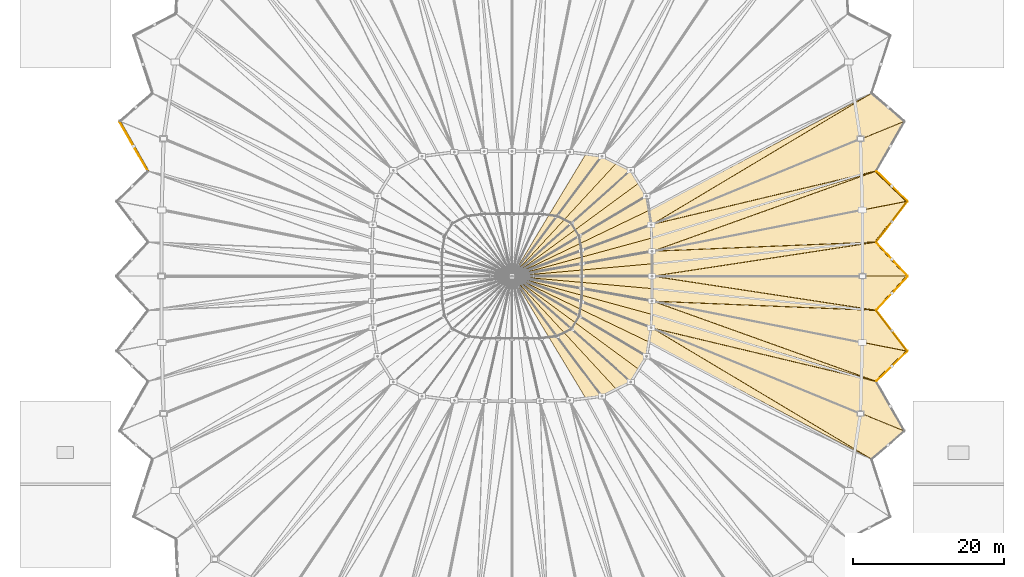
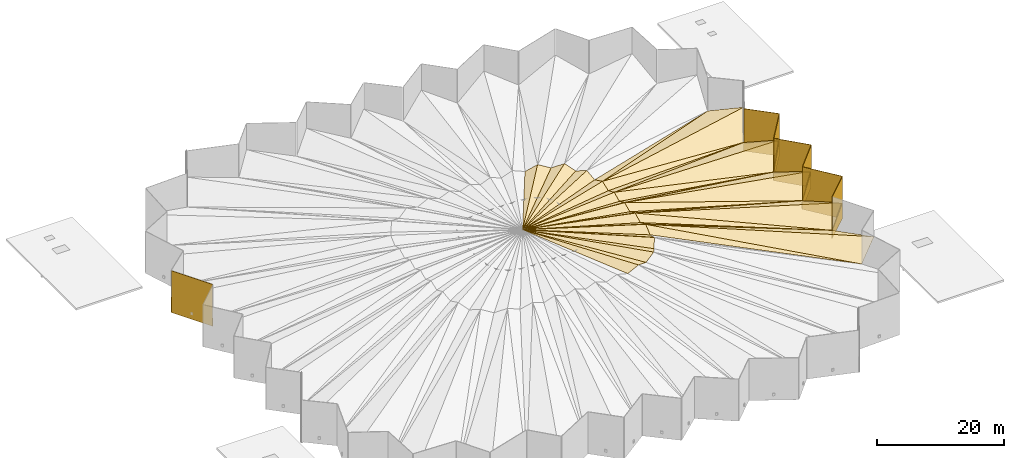
# One storey, part 39 of 41: 49 coverings, 7 shading devices.
"""IFC4 building model written with IfcOpenShell, lengths in metres."""

from ifc_helpers import new_model, si_unit, direction, frame, origin, origin_2d, place, context, subcontext, project, spatial, polyline, rectangle, outline, extrude, material, layer, layer_set, type_object, element, save


model = new_model("IFC4")

# Units and contexts
model_context = context("Model", 3, precision=1e-05, world=origin(), true_north=direction((0.0, 1.0)))
body_context = subcontext(model_context, "Body", "Model", "MODEL_VIEW")
ifc_project = project(units=[si_unit("LENGTHUNIT", "METRE"), si_unit("AREAUNIT", "SQUARE_METRE"), si_unit("VOLUMEUNIT", "CUBIC_METRE"), si_unit("PLANEANGLEUNIT", "RADIAN"), si_unit("MASSUNIT", "GRAM", prefix="KILO")], contexts=[model_context])

# Site, building, storey
site_placement = place(None, origin())
site = spatial("IfcSite", under=ifc_project, at=site_placement, CompositionType="ELEMENT")
building_placement = place(site_placement, origin())
building = spatial("IfcBuilding", under=site, at=building_placement, Name="Luwafu Chhajja Arena", CompositionType="ELEMENT")
storey_placement = place(building_placement, frame((0.0, 0.0, 29.699951171875)))
storey = spatial("IfcBuildingStorey", under=building, at=storey_placement, Name="RF", CompositionType="ELEMENT", Elevation=29.699951171875)

# Shading devices
ifc_material_1 = material(Name="Pierced buff sandstone jali", Category="masonry")
ifc_layer_1 = layer(ifc_material_1, 0.080078125, Name="Pierced buff sandstone jali")
ifc_layer_set_1 = layer_set([ifc_layer_1], Name="Pierced buff sandstone jali")
shading_device_type = type_object("IfcShadingDeviceType", Name="Pierced Buff-Sandstone Jali Screen", PredefinedType="JALOUSIE", material=ifc_layer_set_1)
shading_device_1_placement = place(storey_placement, frame((149.204345703125, 51.755859375, -1.06005859375), z_axis=(0.0, 0.0, 1.0), x_axis=(-0.68063108001, 0.732626325574, 0.0)))
element("IfcShadingDevice", 1, at=shading_device_1_placement, inside=storey, type_object=shading_device_type, Name="RF Crown Acoustic Jali Screen 01", PredefinedType="JALOUSIE", context=body_context, shape_type="SweptSolid", body=[
    extrude(rectangle(XDim=6.058349609375, YDim=0.080078125, at=origin_2d()), origin(), (0.0, 0.0, 1.0), 8.02001953125),
])
shading_device_2_placement = place(storey_placement, frame((149.17919921875, 56.703857421875, -1.06005859375), z_axis=(0.0, 0.0, 1.0), x_axis=(0.60965313274, 0.792668315085, 0.0)))
element("IfcShadingDevice", 2, at=shading_device_2_placement, inside=storey, type_object=shading_device_type, Name="RF Crown Acoustic Jali Screen 02", PredefinedType="JALOUSIE", context=body_context, shape_type="SweptSolid", body=[
    extrude(rectangle(XDim=6.69287109375, YDim=0.080078125, at=origin_2d()), origin(), (0.0, 0.0, 1.0), 8.02001953125),
])
shading_device_3_placement = place(storey_placement, frame((149.176513671875, 61.395263671875, -1.06005859375), z_axis=(0.0, 0.0, 1.0), x_axis=(-0.719887976366, 0.694090268974, 0.0)))
element("IfcShadingDevice", 3, at=shading_device_3_placement, inside=storey, type_object=shading_device_type, Name="RF Crown Acoustic Jali Screen 03", PredefinedType="JALOUSIE", context=body_context, shape_type="SweptSolid", body=[
    extrude(rectangle(XDim=5.66015625, YDim=0.080078125, at=origin_2d()), origin(), (0.0, 0.0, 1.0), 8.02001953125),
])
shading_device_4_placement = place(storey_placement, frame((49.01708984375, 66.6748046875, -1.06005859375), z_axis=(0.0, 0.0, 1.0), x_axis=(0.497200973482, -0.867635402671, 0.0)))
element("IfcShadingDevice", 4, at=shading_device_4_placement, inside=storey, type_object=shading_device_type, Name="RF Crown Acoustic Jali Screen 29", PredefinedType="JALOUSIE", context=body_context, shape_type="SweptSolid", body=[
    extrude(rectangle(XDim=7.4619140625, YDim=0.080078125, at=origin_2d()), origin(), (0.0, 0.0, 1.0), 8.02001953125),
])
shading_device_5_placement = place(storey_placement, frame((149.176513671875, 37.604736328125, -1.06005859375), z_axis=(0.0, 0.0, 1.0), x_axis=(0.719887976366, 0.694090268974, 0.0)))
element("IfcShadingDevice", 5, at=shading_device_5_placement, inside=storey, type_object=shading_device_type, Name="RF Crown Acoustic Jali Screen 62", PredefinedType="JALOUSIE", context=body_context, shape_type="SweptSolid", body=[
    extrude(rectangle(XDim=5.66015625, YDim=0.080078125, at=origin_2d()), origin(), (0.0, 0.0, 1.0), 8.02001953125),
])
shading_device_6_placement = place(storey_placement, frame((149.17919921875, 42.296142578125, -1.06005859375), z_axis=(0.0, 0.0, 1.0), x_axis=(-0.60965313274, 0.792668315085, 0.0)))
element("IfcShadingDevice", 6, at=shading_device_6_placement, inside=storey, type_object=shading_device_type, Name="RF Crown Acoustic Jali Screen 63", PredefinedType="JALOUSIE", context=body_context, shape_type="SweptSolid", body=[
    extrude(rectangle(XDim=6.69287109375, YDim=0.080078125, at=origin_2d()), origin(), (0.0, 0.0, 1.0), 8.02001953125),
])
shading_device_7_placement = place(storey_placement, frame((149.204345703125, 47.244140625, -1.06005859375), z_axis=(0.0, 0.0, 1.0), x_axis=(0.68063108001, 0.732626325574, 0.0)))
element("IfcShadingDevice", 7, at=shading_device_7_placement, inside=storey, type_object=shading_device_type, Name="RF Crown Acoustic Jali Screen 64", PredefinedType="JALOUSIE", context=body_context, shape_type="SweptSolid", body=[
    extrude(rectangle(XDim=6.058349609375, YDim=0.080078125, at=origin_2d()), origin(), (0.0, 0.0, 1.0), 8.02001953125),
])

# Coverings
ifc_material_2 = material(Name="White architectural roof membrane")
ifc_layer_2 = layer(ifc_material_2, 0.06005859375, Name="White architectural roof membrane")
ifc_layer_set_2 = layer_set([ifc_layer_2], Name="White architectural roof membrane")
covering_type = type_object("IfcCoveringType", Name="White Architectural Standing-Seam Roofing", PredefinedType="ROOFING", material=ifc_layer_set_2)
covering_1_placement = place(storey_placement, frame((151.300048828125, 49.5, 1.9150390625), z_axis=(0.1528351173, 0.428226077878, 0.890653610078), x_axis=(-0.662527124303, 0.713116736975, -0.22917750546)))
element("IfcCovering", 8, at=covering_1_placement, inside=storey, type_object=covering_type, Name="White Folded Roof Covering 01A1", PredefinedType="ROOFING", context=body_context, shape_type="SweptSolid", body=[
    extrude(outline(polyline([(0.0, 0.0), (6.326760425142552, 4.440892098500626e-16), (21.064208429431627, 27.062575458254713), (0.0, 0.0)])), origin(), (0.0, 0.0, -1.0), 0.06005859375),
])
covering_2_placement = place(storey_placement, frame((147.1083984375, 54.01171875, 0.465087890625), z_axis=(0.157308187834, 0.410776984638, 0.898062582971), x_axis=(-0.972392863072, -0.094284089423, 0.213454047346)))
element("IfcCovering", 9, at=covering_2_placement, inside=storey, type_object=covering_type, Name="White Folded Roof Covering 01A2", PredefinedType="ROOFING", context=body_context, shape_type="SweptSolid", body=[
    extrude(outline(polyline([(0.0, 0.0), (30.451519101245204, 0.0), (30.763920464950655, 1.7766715338082202), (0.0, 0.0)])), origin(), (0.0, 0.0, -1.0), 0.06005859375),
])
covering_3_placement = place(storey_placement, frame((147.1083984375, 54.01171875, 0.465087890625), z_axis=(0.232543119329, -0.415633833985, 0.87930211742), x_axis=(0.596225898517, 0.775202628768, 0.208747604273)))
element("IfcCovering", 10, at=covering_3_placement, inside=storey, type_object=covering_type, Name="White Folded Roof Covering 01B1", PredefinedType="ROOFING", context=body_context, shape_type="SweptSolid", body=[
    extrude(outline(polyline([(0.0, 0.0), (6.945953592721217, -4.440892098500626e-16), (-17.096647699940778, 25.273061095966153), (0.0, 0.0)])), origin(), (0.0, 0.0, -1.0), 0.06005859375),
])
covering_4_placement = place(storey_placement, frame((147.1083984375, 54.01171875, 0.465087890625), z_axis=(0.233332494376, -0.403996325191, 0.884501507235), x_axis=(-0.97052411532, -0.040326486786, 0.237606220556)))
element("IfcCovering", 11, at=covering_4_placement, inside=storey, type_object=covering_type, Name="White Folded Roof Covering 01B2", PredefinedType="ROOFING", context=body_context, shape_type="SweptSolid", body=[
    extrude(outline(polyline([(0.0, 0.0), (30.51266916768063, 0.0), (30.39825570100641, 1.800296061689039), (0.0, 0.0)])), origin(), (0.0, 0.0, -1.0), 0.06005859375),
])
covering_5_placement = place(storey_placement, frame((117.5, 49.5, 7.715087890625), z_axis=(0.063289702942, 0.4150041437, 0.907615543175), x_axis=(-0.001353383397, 0.909473642667, -0.415759379505)))
element("IfcCovering", 12, at=covering_5_placement, inside=storey, type_object=covering_type, Name="Oculus Standing-Seam Roof Covering 01OA", PredefinedType="ROOFING", context=body_context, shape_type="SweptSolid", body=[
    extrude(outline(polyline([(0.0, 0.0), (1.8039280337888974, 0.0), (-0.5113082473211006, 18.537873790135627), (0.0, 0.0)])), origin(), (0.0, 0.0, -1.0), 0.06005859375),
])
covering_6_placement = place(storey_placement, frame((117.49755859375, 51.140625, 6.965087890625), z_axis=(0.135899543674, -0.411735318271, 0.901113390045), x_axis=(-0.001353383397, 0.909473642667, 0.415759379505)))
element("IfcCovering", 13, at=covering_6_placement, inside=storey, type_object=covering_type, Name="Oculus Standing-Seam Roof Covering 01OB", PredefinedType="ROOFING", context=body_context, shape_type="SweptSolid", body=[
    extrude(outline(polyline([(0.0, 0.0), (1.8039280337888974, -1.3877787807814457e-17), (-0.6189055315275013, 18.67163730473067), (0.0, 0.0)])), origin(), (0.0, 0.0, -1.0), 0.06005859375),
])
covering_7_placement = place(storey_placement, frame((151.249755859375, 59.396240234375, 1.9150390625), z_axis=(0.076153465417, 0.40880676345, 0.909438112167), x_axis=(-0.698117336726, 0.673086223504, -0.244104731399)))
element("IfcCovering", 14, at=covering_7_placement, inside=storey, type_object=covering_type, Name="White Folded Roof Covering 02A1", PredefinedType="ROOFING", context=body_context, shape_type="SweptSolid", body=[
    extrude(outline(polyline([(0.0, 0.0), (5.939873281292831, 5.551115123125783e-16), (17.696420295086398, 30.06012313377982), (0.0, 0.0)])), origin(), (0.0, 0.0, -1.0), 0.06005859375),
])
covering_8_placement = place(storey_placement, frame((147.10302734375, 63.394287109375, 0.465087890625), z_axis=(0.083227266402, 0.393304684731, 0.915633467658), x_axis=(-0.937740948517, -0.280010807335, 0.205513652225)))
element("IfcCovering", 15, at=covering_8_placement, inside=storey, type_object=covering_type, Name="White Folded Roof Covering 02A2", PredefinedType="ROOFING", context=body_context, shape_type="SweptSolid", body=[
    extrude(outline(polyline([(0.0, 0.0), (31.62806913123856, 2.220446049250313e-15), (32.226288821418485, 1.8148579294426845), (0.0, 0.0)])), origin(), (0.0, 0.0, -1.0), 0.06005859375),
])
covering_9_placement = place(storey_placement, frame((147.10302734375, 63.394287109375, 0.465087890625), z_axis=(0.302449222531, -0.36766002832, 0.879403531586), x_axis=(0.488300282151, 0.852115700164, 0.188312686733)))
element("IfcCovering", 16, at=covering_9_placement, inside=storey, type_object=covering_type, Name="White Folded Roof Covering 02B1", PredefinedType="ROOFING", context=body_context, shape_type="SweptSolid", body=[
    extrude(outline(polyline([(0.0, 0.0), (7.699699882287737, -1.1102230246251565e-16), (-19.191715121009217, 24.846284294222407), (0.0, 0.0)])), origin(), (0.0, 0.0, -1.0), 0.06005859375),
])
covering_10_placement = place(storey_placement, frame((147.10302734375, 63.394287109375, 0.465087890625), z_axis=(0.30233695894, -0.366772356652, 0.879812708282), x_axis=(-0.946328965933, -0.226128865262, 0.230926881352)))
element("IfcCovering", 17, at=covering_10_placement, inside=storey, type_object=covering_type, Name="White Folded Roof Covering 02B2", PredefinedType="ROOFING", context=body_context, shape_type="SweptSolid", body=[
    extrude(outline(polyline([(0.0, 0.0), (31.39521894357956, -8.881784197001252e-16), (31.570777257072972, 1.902834820652977), (0.0, 0.0)])), origin(), (0.0, 0.0, -1.0), 0.06005859375),
])
covering_11_placement = place(storey_placement, frame((117.4951171875, 52.78125, 7.715087890625), z_axis=(-0.005478713028, 0.39248271755, 0.919743062017), x_axis=(-0.026702145625, 0.919371482872, -0.392483212254)))
element("IfcCovering", 18, at=covering_11_placement, inside=storey, type_object=covering_type, Name="Oculus Standing-Seam Roof Covering 02OA", PredefinedType="ROOFING", context=body_context, shape_type="SweptSolid", body=[
    extrude(outline(polyline([(0.0, 0.0), (1.9109097576232996, 0.0), (-3.0291470408570786, 18.582906939698663), (0.0, 0.0)])), origin(), (0.0, 0.0, -1.0), 0.06005859375),
])
covering_12_placement = place(storey_placement, frame((117.444091796875, 54.5380859375, 6.965087890625), z_axis=(0.203462619137, -0.379382294991, 0.902591844003), x_axis=(-0.026829815339, 0.919368338944, 0.392481870099)))
element("IfcCovering", 19, at=covering_12_placement, inside=storey, type_object=covering_type, Name="Oculus Standing-Seam Roof Covering 02OB", PredefinedType="ROOFING", context=body_context, shape_type="SweptSolid", body=[
    extrude(outline(polyline([(0.0, 0.0), (1.91091629228653, 0.0), (-3.3363267764869047, 18.93667117373614), (0.0, 0.0)])), origin(), (0.0, 0.0, -1.0), 0.06005859375),
])
covering_13_placement = place(storey_placement, frame((150.86279296875, 69.955322265625, 1.9150390625), z_axis=(0.008982276981, 0.372077420736, 0.928158236336), x_axis=(-0.737222750403, 0.629569150991, -0.24524538815)))
element("IfcCovering", 20, at=covering_13_placement, inside=storey, type_object=covering_type, Name="White Folded Roof Covering 03A1", PredefinedType="ROOFING", context=body_context, shape_type="SweptSolid", body=[
    extrude(outline(polyline([(0.0, 0.0), (5.912246435345395, -5.551115123125783e-17), (14.652221955396168, 33.552919930740366), (0.0, 0.0)])), origin(), (0.0, 0.0, -1.0), 0.06005859375),
])
covering_14_placement = place(storey_placement, frame((146.504150390625, 73.677490234375, 0.465087890625), z_axis=(0.011080930727, 0.369056060352, 0.929341076942), x_axis=(-0.868485729871, -0.457076891432, 0.191867799093)))
element("IfcCovering", 21, at=covering_14_placement, inside=storey, type_object=covering_type, Name="White Folded Roof Covering 03A2", PredefinedType="ROOFING", context=body_context, shape_type="SweptSolid", body=[
    extrude(outline(polyline([(0.0, 0.0), (33.87749289211558, 3.1086244689504383e-15), (34.618984908394104, 1.9265232628084674), (0.0, 0.0)])), origin(), (0.0, 0.0, -1.0), 0.06005859375),
])
covering_15_placement = place(storey_placement, frame((117.392822265625, 56.294921875, 7.715087890625), z_axis=(-0.066632000381, 0.357236627008, 0.931634138946), x_axis=(-0.15055572822, 0.919418877596, -0.363320657573)))
element("IfcCovering", 22, at=covering_15_placement, inside=storey, type_object=covering_type, Name="Oculus Standing-Seam Roof Covering 03OA", PredefinedType="ROOFING", context=body_context, shape_type="SweptSolid", body=[
    extrude(outline(polyline([(0.0, 0.0), (2.0642922012997467, 6.938893903907228e-18), (-3.946932533933333, 19.24974801231379), (0.0, 0.0)])), origin(), (0.0, 0.0, -1.0), 0.06005859375),
])
covering_16_placement = place(storey_placement, frame((117.08203125, 58.19287109375, 6.965087890625), z_axis=(0.256176504614, -0.31870912861, 0.912577717142), x_axis=(-0.150572101002, 0.919400582159, 0.363360168325)))
element("IfcCovering", 23, at=covering_16_placement, inside=storey, type_object=covering_type, Name="Oculus Standing-Seam Roof Covering 03OB", PredefinedType="ROOFING", context=body_context, shape_type="SweptSolid", body=[
    extrude(outline(polyline([(0.0, 0.0), (2.064067736033542, 5.551115123125783e-17), (-4.5283123713911015, 19.65151415087813), (0.0, 0.0)])), origin(), (0.0, 0.0, -1.0), 0.06005859375),
])
covering_17_placement = place(storey_placement, frame((116.771240234375, 60.090576171875, 7.715087890625), z_axis=(-0.130222191103, 0.332303566047, 0.934139454759), x_axis=(-0.489440748771, 0.797819361495, -0.352039798695)))
element("IfcCovering", 24, at=covering_17_placement, inside=storey, type_object=covering_type, Name="Oculus Standing-Seam Roof Covering 04OA", PredefinedType="ROOFING", context=body_context, shape_type="SweptSolid", body=[
    extrude(outline(polyline([(0.0, 0.0), (2.1304409409971767, 2.7755575615628914e-17), (-0.20554268427489347, 20.726775825194625), (0.0, 0.0)])), origin(), (0.0, 0.0, -1.0), 0.06005859375),
])
covering_18_placement = place(storey_placement, frame((115.728515625, 61.790283203125, 6.965087890625), z_axis=(0.285728943512, -0.234686289667, 0.929129332376), x_axis=(-0.489572639966, 0.797732946349, 0.352052235481)))
element("IfcCovering", 25, at=covering_18_placement, inside=storey, type_object=covering_type, Name="Oculus Standing-Seam Roof Covering 04OB", PredefinedType="ROOFING", context=body_context, shape_type="SweptSolid", body=[
    extrude(outline(polyline([(0.0, 0.0), (2.130365679898182, 5.551115123125783e-17), (-0.896339961427299, 20.838729094619953), (0.0, 0.0)])), origin(), (0.0, 0.0, -1.0), 0.06005859375),
])
covering_19_placement = place(storey_placement, frame((114.685546875, 63.48974609375, 7.715087890625), z_axis=(-0.208288211188, 0.318801491117, 0.924652167218), x_axis=(-0.847243330755, 0.413527682575, -0.333427044847)))
element("IfcCovering", 26, at=covering_19_placement, inside=storey, type_object=covering_type, Name="Oculus Standing-Seam Roof Covering 05OA", PredefinedType="ROOFING", context=body_context, shape_type="SweptSolid", body=[
    extrude(outline(polyline([(0.0, 0.0), (2.249367625061987, 0.0), (7.074193784787466, 19.833541277680744), (0.0, 0.0)])), origin(), (0.0, 0.0, -1.0), 0.06005859375),
])
covering_20_placement = place(storey_placement, frame((112.77978515625, 64.419921875, 6.965087890625), z_axis=(0.299130237372, -0.147364998323, 0.94276437054), x_axis=(-0.847212699569, 0.41356571241, 0.333457708274)))
element("IfcCovering", 27, at=covering_20_placement, inside=storey, type_object=covering_type, Name="Oculus Standing-Seam Roof Covering 05OB", PredefinedType="ROOFING", context=body_context, shape_type="SweptSolid", body=[
    extrude(outline(polyline([(0.0, 0.0), (2.2491607822846755, 7.28583859910259e-17), (6.184307612948461, 19.452574288084982), (0.0, 0.0)])), origin(), (0.0, 0.0, -1.0), 0.06005859375),
])
covering_21_placement = place(storey_placement, frame((110.874267578125, 65.35009765625, 7.715087890625), z_axis=(-0.28482491651, 0.287798981333, 0.914355791406), x_axis=(-0.936087342013, 0.121911547124, -0.329966760145)))
element("IfcCovering", 28, at=covering_21_placement, inside=storey, type_object=covering_type, Name="Oculus Standing-Seam Roof Covering 06OA", PredefinedType="ROOFING", context=body_context, shape_type="SweptSolid", body=[
    extrude(outline(polyline([(0.0, 0.0), (2.272956220409128, 0.0), (8.757371638307497, 17.810010359371375), (0.0, 0.0)])), origin(), (0.0, 0.0, -1.0), 0.06005859375),
])
covering_22_placement = place(storey_placement, frame((108.74658203125, 33.372802734375, 6.965087890625), z_axis=(-0.28482491651, -0.287798981333, 0.914355791406), x_axis=(0.936087342013, 0.121911547124, 0.329966760145)))
element("IfcCovering", 29, at=covering_22_placement, inside=storey, type_object=covering_type, Name="Oculus Standing-Seam Roof Covering 27OB", PredefinedType="ROOFING", context=body_context, shape_type="SweptSolid", body=[
    extrude(outline(polyline([(0.0, 0.0), (2.272956220409128, 0.0), (-6.4844154178983695, 17.810010359371372), (0.0, 0.0)])), origin(), (0.0, 0.0, -1.0), 0.06005859375),
])
covering_23_placement = place(storey_placement, frame((110.874267578125, 33.64990234375, 7.715087890625), z_axis=(0.299130237372, 0.147364998323, 0.94276437054), x_axis=(0.847212699569, 0.41356571241, -0.333457708274)))
element("IfcCovering", 30, at=covering_23_placement, inside=storey, type_object=covering_type, Name="Oculus Standing-Seam Roof Covering 28OA", PredefinedType="ROOFING", context=body_context, shape_type="SweptSolid", body=[
    extrude(outline(polyline([(0.0, 0.0), (2.2491607822846755, -7.28583859910259e-17), (-3.935146830663786, 19.452574288084985), (0.0, 0.0)])), origin(), (0.0, 0.0, -1.0), 0.06005859375),
])
covering_24_placement = place(storey_placement, frame((112.77978515625, 34.580078125, 6.965087890625), z_axis=(-0.208288211188, -0.318801491117, 0.924652167218), x_axis=(0.847243330755, 0.413527682575, 0.333427044847)))
element("IfcCovering", 31, at=covering_24_placement, inside=storey, type_object=covering_type, Name="Oculus Standing-Seam Roof Covering 28OB", PredefinedType="ROOFING", context=body_context, shape_type="SweptSolid", body=[
    extrude(outline(polyline([(0.0, 0.0), (2.249367625061987, 0.0), (-4.824826159725481, 19.833541277680744), (0.0, 0.0)])), origin(), (0.0, 0.0, -1.0), 0.06005859375),
])
covering_25_placement = place(storey_placement, frame((114.685546875, 35.51025390625, 7.715087890625), z_axis=(0.285728943512, 0.234686289667, 0.929129332376), x_axis=(0.489572639966, 0.797732946349, -0.352052235481)))
element("IfcCovering", 32, at=covering_25_placement, inside=storey, type_object=covering_type, Name="Oculus Standing-Seam Roof Covering 29OA", PredefinedType="ROOFING", context=body_context, shape_type="SweptSolid", body=[
    extrude(outline(polyline([(0.0, 0.0), (2.130365679898182, -5.551115123125783e-17), (3.0267056413254814, 20.838729094619957), (0.0, 0.0)])), origin(), (0.0, 0.0, -1.0), 0.06005859375),
])
covering_26_placement = place(storey_placement, frame((115.728515625, 37.209716796875, 6.965087890625), z_axis=(-0.130222191103, -0.332303566047, 0.934139454759), x_axis=(0.489440748771, 0.797819361495, 0.352039798695)))
element("IfcCovering", 33, at=covering_26_placement, inside=storey, type_object=covering_type, Name="Oculus Standing-Seam Roof Covering 29OB", PredefinedType="ROOFING", context=body_context, shape_type="SweptSolid", body=[
    extrude(outline(polyline([(0.0, 0.0), (2.1304409409971767, -2.7755575615628914e-17), (2.335983625272072, 20.726775825194625), (0.0, 0.0)])), origin(), (0.0, 0.0, -1.0), 0.06005859375),
])
covering_27_placement = place(storey_placement, frame((146.504150390625, 25.322509765625, 0.465087890625), z_axis=(0.008982276981, -0.372077420736, 0.928158236336), x_axis=(0.737222750403, 0.629569150991, 0.24524538815)))
element("IfcCovering", 34, at=covering_27_placement, inside=storey, type_object=covering_type, Name="White Folded Roof Covering 30B1", PredefinedType="ROOFING", context=body_context, shape_type="SweptSolid", body=[
    extrude(outline(polyline([(0.0, 0.0), (5.912246435345395, 5.551115123125783e-17), (-8.739975520050773, 33.552919930740366), (0.0, 0.0)])), origin(), (0.0, 0.0, -1.0), 0.06005859375),
])
covering_28_placement = place(storey_placement, frame((146.504150390625, 25.322509765625, 0.465087890625), z_axis=(0.011080930727, -0.369056060352, 0.929341076942), x_axis=(-0.839607399047, 0.501335182864, 0.209099138897)))
element("IfcCovering", 35, at=covering_28_placement, inside=storey, type_object=covering_type, Name="White Folded Roof Covering 30B2", PredefinedType="ROOFING", context=body_context, shape_type="SweptSolid", body=[
    extrude(outline(polyline([(0.0, 0.0), (34.67254833394513, -2.6645352591003757e-15), (33.825157697398865, 1.8823473115874942), (0.0, 0.0)])), origin(), (0.0, 0.0, -1.0), 0.06005859375),
])
covering_29_placement = place(storey_placement, frame((116.771240234375, 38.909423828125, 7.715087890625), z_axis=(0.256176504614, 0.31870912861, 0.912577717142), x_axis=(0.150572101002, 0.919400582159, -0.363360168325)))
element("IfcCovering", 36, at=covering_29_placement, inside=storey, type_object=covering_type, Name="Oculus Standing-Seam Roof Covering 30OA", PredefinedType="ROOFING", context=body_context, shape_type="SweptSolid", body=[
    extrude(outline(polyline([(0.0, 0.0), (2.064067736033542, -5.551115123125783e-17), (6.592380107424644, 19.65151415087813), (0.0, 0.0)])), origin(), (0.0, 0.0, -1.0), 0.06005859375),
])
covering_30_placement = place(storey_placement, frame((117.08203125, 40.80712890625, 6.965087890625), z_axis=(-0.066632000381, -0.357236627008, 0.931634138946), x_axis=(0.15055572822, 0.919418877596, 0.363320657573)))
element("IfcCovering", 37, at=covering_30_placement, inside=storey, type_object=covering_type, Name="Oculus Standing-Seam Roof Covering 30OB", PredefinedType="ROOFING", context=body_context, shape_type="SweptSolid", body=[
    extrude(outline(polyline([(0.0, 0.0), (2.0642922012997467, -6.938893903907228e-18), (6.01122473523308, 19.249748012313788), (0.0, 0.0)])), origin(), (0.0, 0.0, -1.0), 0.06005859375),
])
covering_31_placement = place(storey_placement, frame((150.86279296875, 29.044677734375, 1.9150390625), z_axis=(0.302449222531, 0.36766002832, 0.879403531586), x_axis=(-0.488300282151, 0.852115700164, -0.188312686733)))
element("IfcCovering", 38, at=covering_31_placement, inside=storey, type_object=covering_type, Name="White Folded Roof Covering 31A1", PredefinedType="ROOFING", context=body_context, shape_type="SweptSolid", body=[
    extrude(outline(polyline([(0.0, 0.0), (7.699699882287737, 1.1102230246251565e-16), (26.891415003296956, 24.846284294222407), (0.0, 0.0)])), origin(), (0.0, 0.0, -1.0), 0.06005859375),
])
covering_32_placement = place(storey_placement, frame((147.10302734375, 35.605712890625, 0.465087890625), z_axis=(0.30233695894, 0.366772356652, 0.879812708282), x_axis=(-0.937740948517, 0.280010807335, 0.205513652225)))
element("IfcCovering", 39, at=covering_32_placement, inside=storey, type_object=covering_type, Name="White Folded Roof Covering 31A2", PredefinedType="ROOFING", context=body_context, shape_type="SweptSolid", body=[
    extrude(outline(polyline([(0.0, 0.0), (31.62806913123856, -8.881784197001252e-16), (31.338348860058083, 1.8888258894332224), (0.0, 0.0)])), origin(), (0.0, 0.0, -1.0), 0.06005859375),
])
covering_33_placement = place(storey_placement, frame((147.10302734375, 35.605712890625, 0.465087890625), z_axis=(0.076153465417, -0.40880676345, 0.909438112167), x_axis=(0.698117336726, 0.673086223504, 0.244104731399)))
element("IfcCovering", 40, at=covering_33_placement, inside=storey, type_object=covering_type, Name="White Folded Roof Covering 31B1", PredefinedType="ROOFING", context=body_context, shape_type="SweptSolid", body=[
    extrude(outline(polyline([(0.0, 0.0), (5.939873281292831, -5.551115123125783e-16), (-11.756547013793565, 30.06012313377982), (0.0, 0.0)])), origin(), (0.0, 0.0, -1.0), 0.06005859375),
])
covering_34_placement = place(storey_placement, frame((147.10302734375, 35.605712890625, 0.465087890625), z_axis=(0.083227266402, -0.393304684731, 0.915633467658), x_axis=(-0.917296774836, 0.328807560556, 0.224615705143)))
element("IfcCovering", 41, at=covering_34_placement, inside=storey, type_object=covering_type, Name="White Folded Roof Covering 31B2", PredefinedType="ROOFING", context=body_context, shape_type="SweptSolid", body=[
    extrude(outline(polyline([(0.0, 0.0), (32.27735120026956, -2.220446049250313e-15), (31.57803390876052, 1.778350760557768), (0.0, 0.0)])), origin(), (0.0, 0.0, -1.0), 0.06005859375),
])
covering_35_placement = place(storey_placement, frame((117.392822265625, 42.705078125, 7.715087890625), z_axis=(0.203462619137, 0.379382294991, 0.902591844003), x_axis=(0.026829815339, 0.919368338944, -0.392481870099)))
element("IfcCovering", 42, at=covering_35_placement, inside=storey, type_object=covering_type, Name="Oculus Standing-Seam Roof Covering 31OA", PredefinedType="ROOFING", context=body_context, shape_type="SweptSolid", body=[
    extrude(outline(polyline([(0.0, 0.0), (1.91091629228653, 0.0), (5.247243068773435, 18.93667117373614), (0.0, 0.0)])), origin(), (0.0, 0.0, -1.0), 0.06005859375),
])
covering_36_placement = place(storey_placement, frame((117.444091796875, 44.4619140625, 6.965087890625), z_axis=(-0.005478713028, -0.39248271755, 0.919743062017), x_axis=(0.026702145625, 0.919371482872, 0.392483212254)))
element("IfcCovering", 43, at=covering_36_placement, inside=storey, type_object=covering_type, Name="Oculus Standing-Seam Roof Covering 31OB", PredefinedType="ROOFING", context=body_context, shape_type="SweptSolid", body=[
    extrude(outline(polyline([(0.0, 0.0), (1.9109097576232996, 0.0), (4.940056798480379, 18.58290693969866), (0.0, 0.0)])), origin(), (0.0, 0.0, -1.0), 0.06005859375),
])
covering_37_placement = place(storey_placement, frame((151.249755859375, 39.603759765625, 1.9150390625), z_axis=(0.232543119329, 0.415633833985, 0.87930211742), x_axis=(-0.596225898517, 0.775202628768, -0.208747604273)))
element("IfcCovering", 44, at=covering_37_placement, inside=storey, type_object=covering_type, Name="White Folded Roof Covering 32A1", PredefinedType="ROOFING", context=body_context, shape_type="SweptSolid", body=[
    extrude(outline(polyline([(0.0, 0.0), (6.945953592721217, 4.440892098500626e-16), (24.042601292661992, 25.273061095966156), (0.0, 0.0)])), origin(), (0.0, 0.0, -1.0), 0.06005859375),
])
covering_38_placement = place(storey_placement, frame((147.1083984375, 44.98828125, 0.465087890625), z_axis=(0.233332494376, 0.403996325191, 0.884501507235), x_axis=(-0.972392863072, 0.094284089423, 0.213454047346)))
element("IfcCovering", 45, at=covering_38_placement, inside=storey, type_object=covering_type, Name="White Folded Roof Covering 32A2", PredefinedType="ROOFING", context=body_context, shape_type="SweptSolid", body=[
    extrude(outline(polyline([(0.0, 0.0), (30.451519101245204, 0.0), (30.459298808559012, 1.80391125813982), (0.0, 0.0)])), origin(), (0.0, 0.0, -1.0), 0.06005859375),
])
covering_39_placement = place(storey_placement, frame((147.1083984375, 44.98828125, 0.465087890625), z_axis=(0.1528351173, -0.428226077878, 0.890653610078), x_axis=(0.662527124303, 0.713116736975, 0.22917750546)))
element("IfcCovering", 46, at=covering_39_placement, inside=storey, type_object=covering_type, Name="White Folded Roof Covering 32B1", PredefinedType="ROOFING", context=body_context, shape_type="SweptSolid", body=[
    extrude(outline(polyline([(0.0, 0.0), (6.326760425142552, -4.440892098500626e-16), (-14.737448004289076, 27.062575458254713), (0.0, 0.0)])), origin(), (0.0, 0.0, -1.0), 0.06005859375),
])
covering_40_placement = place(storey_placement, frame((147.1083984375, 44.98828125, 0.465087890625), z_axis=(0.157308187834, -0.410776984638, 0.898062582971), x_axis=(-0.960838058558, 0.146412211173, 0.23527364843)))
element("IfcCovering", 47, at=covering_40_placement, inside=storey, type_object=covering_type, Name="White Folded Roof Covering 32B2", PredefinedType="ROOFING", context=body_context, shape_type="SweptSolid", body=[
    extrude(outline(polyline([(0.0, 0.0), (30.815180741200493, 0.0), (30.400863766964775, 1.7557043589253971), (0.0, 0.0)])), origin(), (0.0, 0.0, -1.0), 0.06005859375),
])
covering_41_placement = place(storey_placement, frame((117.4951171875, 46.21875, 7.715087890625), z_axis=(0.135899543674, 0.411735318271, 0.901113390045), x_axis=(0.001353383397, 0.909473642667, -0.415759379505)))
element("IfcCovering", 48, at=covering_41_placement, inside=storey, type_object=covering_type, Name="Oculus Standing-Seam Roof Covering 32OA", PredefinedType="ROOFING", context=body_context, shape_type="SweptSolid", body=[
    extrude(outline(polyline([(0.0, 0.0), (1.8039280337888974, 1.3877787807814457e-17), (2.422833565316399, 18.671637304730673), (0.0, 0.0)])), origin(), (0.0, 0.0, -1.0), 0.06005859375),
])
covering_42_placement = place(storey_placement, frame((117.49755859375, 47.859375, 6.965087890625), z_axis=(0.063289702942, -0.4150041437, 0.907615543175), x_axis=(0.001353383397, 0.909473642667, 0.415759379505)))
element("IfcCovering", 49, at=covering_42_placement, inside=storey, type_object=covering_type, Name="Oculus Standing-Seam Roof Covering 32OB", PredefinedType="ROOFING", context=body_context, shape_type="SweptSolid", body=[
    extrude(outline(polyline([(0.0, 0.0), (1.8039280337888974, 0.0), (2.315236281109998, 18.537873790135627), (0.0, 0.0)])), origin(), (0.0, 0.0, -1.0), 0.06005859375),
])
covering_43_placement = place(storey_placement, frame((151.300048828125, 49.5, -1.099853515625), z_axis=(0.732615558692, 0.68064266922, 0.0), x_axis=(-0.68064266922, 0.732615558692, 0.0)))
element("IfcCovering", 50, at=covering_43_placement, inside=storey, type_object=covering_type, Name="RF Pleated Rim Eave Fascia 01", PredefinedType="ROOFING", context=body_context, shape_type="SweptSolid", body=[
    extrude(outline(polyline([(0.0, 0.0), (6.158371463002883, 0.0), (6.158371463002883, 1.5), (0.0, 2.949951171875), (0.0, 0.0)])), origin(), (0.0, 0.0, -1.0), 0.139892578125),
])
covering_44_placement = place(storey_placement, frame((147.1083984375, 54.01171875, -1.099853515625), z_axis=(0.792665405575, -0.609656915655, 0.0), x_axis=(0.609656915655, 0.792665405575, 0.0)))
element("IfcCovering", 51, at=covering_44_placement, inside=storey, type_object=covering_type, Name="RF Pleated Rim Eave Fascia 02", PredefinedType="ROOFING", context=body_context, shape_type="SweptSolid", body=[
    extrude(outline(polyline([(0.0, 0.0), (6.792931098680091, 0.0), (6.792931098680091, 2.949951171875), (0.0, 1.5), (0.0, 0.0)])), origin(), (0.0, 0.0, -1.0), 0.139892578125),
])
covering_45_placement = place(storey_placement, frame((151.249755859375, 59.396240234375, -1.099853515625), z_axis=(0.694083015737, 0.719894969607, 0.0), x_axis=(-0.719894969607, 0.694083015737, 0.0)))
element("IfcCovering", 52, at=covering_45_placement, inside=storey, type_object=covering_type, Name="RF Pleated Rim Eave Fascia 03", PredefinedType="ROOFING", context=body_context, shape_type="SweptSolid", body=[
    extrude(outline(polyline([(0.0, 0.0), (5.760185430782136, 0.0), (5.760185430782136, 1.4999999999999996), (0.0, 2.9499511718749996), (0.0, 0.0)])), origin(), (0.0, 0.0, -1.0), 0.139892578125),
])
covering_46_placement = place(storey_placement, frame((47.13720703125, 69.955322265625, -1.099853515625), z_axis=(-0.86763851296, -0.497195545865, 0.0), x_axis=(0.497195545865, -0.86763851296, 0.0)))
element("IfcCovering", 53, at=covering_46_placement, inside=storey, type_object=covering_type, Name="RF Pleated Rim Eave Fascia 29", PredefinedType="ROOFING", context=body_context, shape_type="SweptSolid", body=[
    extrude(outline(polyline([(0.0, 0.0), (7.561945508695504, 0.0), (7.561945508695504, 1.5), (0.0, 2.949951171875), (0.0, 0.0)])), origin(), (0.0, 0.0, -1.0), 0.139892578125),
])
covering_47_placement = place(storey_placement, frame((147.10302734375, 35.605712890625, -1.099853515625), z_axis=(0.694083015737, -0.719894969607, 0.0), x_axis=(0.719894969607, 0.694083015737, 0.0)))
element("IfcCovering", 54, at=covering_47_placement, inside=storey, type_object=covering_type, Name="RF Pleated Rim Eave Fascia 62", PredefinedType="ROOFING", context=body_context, shape_type="SweptSolid", body=[
    extrude(outline(polyline([(0.0, 0.0), (5.760185430782136, 0.0), (5.760185430782136, 2.9499511718749996), (0.0, 1.4999999999999996), (0.0, 0.0)])), origin(), (0.0, 0.0, -1.0), 0.139892578125),
])
covering_48_placement = place(storey_placement, frame((151.249755859375, 39.603759765625, -1.099853515625), z_axis=(0.792665405575, 0.609656915655, 0.0), x_axis=(-0.609656915655, 0.792665405575, 0.0)))
element("IfcCovering", 55, at=covering_48_placement, inside=storey, type_object=covering_type, Name="RF Pleated Rim Eave Fascia 63", PredefinedType="ROOFING", context=body_context, shape_type="SweptSolid", body=[
    extrude(outline(polyline([(0.0, 0.0), (6.792931098680091, 0.0), (6.792931098680091, 1.5), (0.0, 2.949951171875), (0.0, 0.0)])), origin(), (0.0, 0.0, -1.0), 0.139892578125),
])
covering_49_placement = place(storey_placement, frame((147.1083984375, 44.98828125, -1.099853515625), z_axis=(0.732615558692, -0.68064266922, 0.0), x_axis=(0.68064266922, 0.732615558692, 0.0)))
element("IfcCovering", 56, at=covering_49_placement, inside=storey, type_object=covering_type, Name="RF Pleated Rim Eave Fascia 64", PredefinedType="ROOFING", context=body_context, shape_type="SweptSolid", body=[
    extrude(outline(polyline([(0.0, 0.0), (6.158371463002883, 0.0), (6.158371463002883, 2.949951171875), (0.0, 1.5), (0.0, 0.0)])), origin(), (0.0, 0.0, -1.0), 0.139892578125),
])

save(model, "model.ifc")
